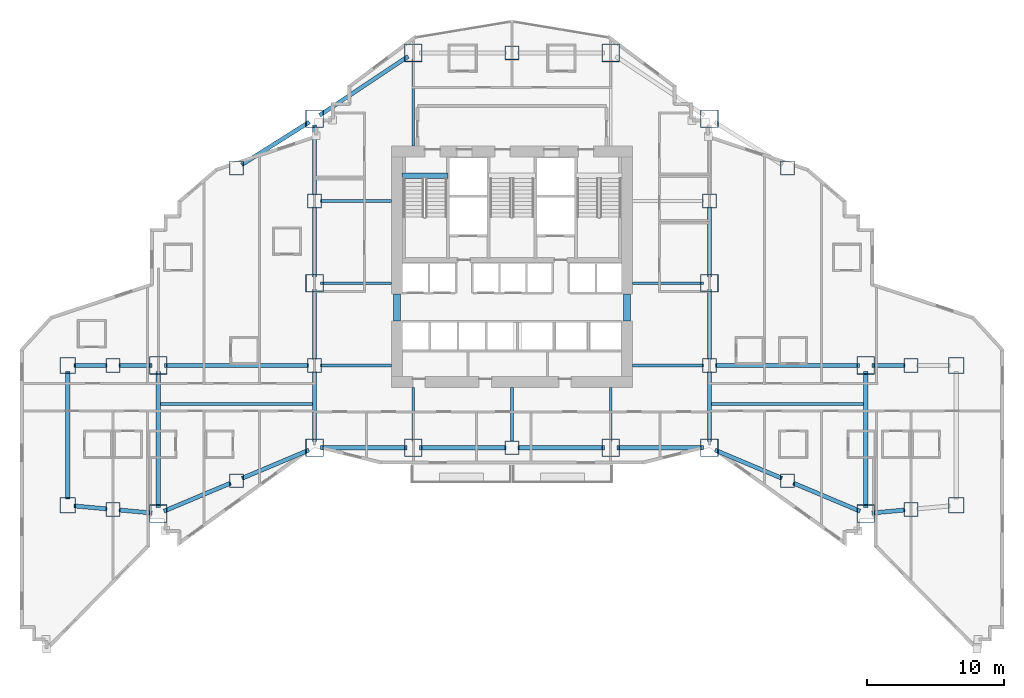
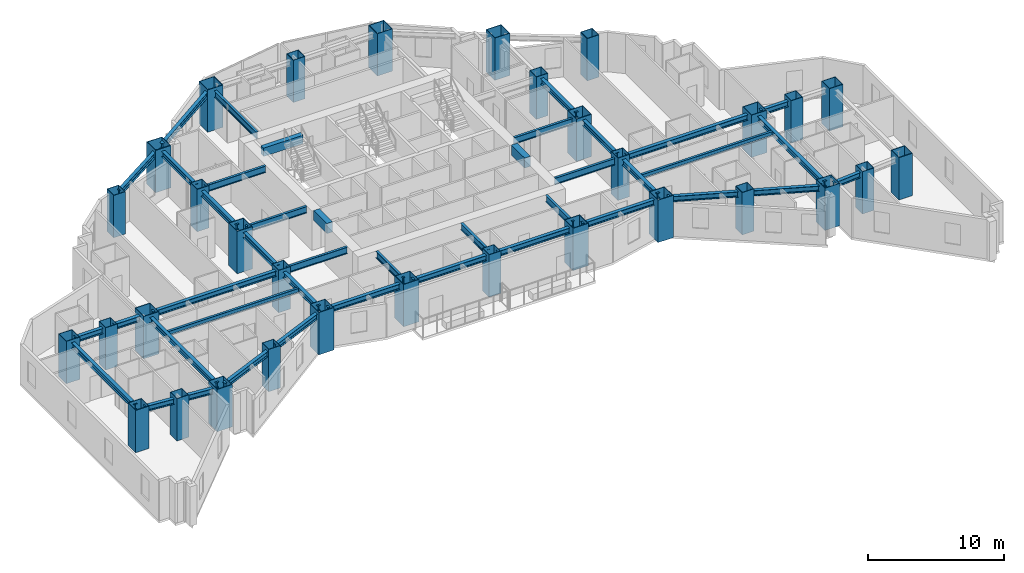
# One storey, part 1 of 19: 42 beams, 32 columns.
"""IFC4 building model written with IfcOpenShell, lengths in metres."""

from ifc_helpers import new_model, si_unit, direction, frame, origin, origin_2d, place, context, subcontext, project, spatial, rectangle, hollow_rectangle, i_section, extrude, material, material_profile, profile_set, type_object, element, save


model = new_model("IFC4")

# Units and contexts
model_context = context("Model", 3, precision=1e-05, world=origin(), true_north=direction((0.0, 1.0)))
body_context = subcontext(model_context, "Body", "Model", "MODEL_VIEW")
ifc_project = project(units=[si_unit("LENGTHUNIT", "METRE"), si_unit("AREAUNIT", "SQUARE_METRE"), si_unit("VOLUMEUNIT", "CUBIC_METRE"), si_unit("PLANEANGLEUNIT", "RADIAN"), si_unit("MASSUNIT", "GRAM", prefix="KILO")], contexts=[model_context])

# Site, building, storey
site_placement = place(None, origin())
site = spatial("IfcSite", under=ifc_project, at=site_placement, CompositionType="ELEMENT")
building_placement = place(site_placement, origin())
building = spatial("IfcBuilding", under=site, at=building_placement, Name="Haolan Belvedere Tower", CompositionType="ELEMENT")
storey_placement = place(building_placement, frame((0.0, 0.0, 39.199951171875)))
storey = spatial("IfcBuildingStorey", under=building, at=storey_placement, Name="L09", CompositionType="ELEMENT", Elevation=39.199951171875)

# Columns
ifc_material_1 = material(Name="Steel Q420GJC", Category="steel")
ifc_material_profile_1 = material_profile(ifc_material_1, hollow_rectangle(XDim=1.0, YDim=1.0, WallThickness=0.0380859375, at=origin_2d()), Name="Steel Q420GJC")
ifc_profile_set_1 = profile_set([ifc_material_profile_1], Name="Steel Q420GJC")
column_type_1 = type_object("IfcColumnType", Name="COL-BOX1000x1000x38", PredefinedType="COLUMN", material=ifc_profile_set_1)
for number, where, z_axis, x_axis, name in (
    (1, (24.0, 27.60009765625, 0.0), (0.0, 0.0, 1.0), (1.0, 0.0, 0.0), "L09 column TC-T3-W1 (BOX1000x1000x38)"),
    (2, (24.0, 39.60009765625, 0.0), (0.0, 0.0, 1.0), (1.0, 0.0, 0.0), "L09 column TC-T3-W2 (BOX1000x1000x38)"),
    (3, (52.800048828125, 27.60009765625, 0.0), (0.0, 0.0, 1.0), (1.0, 0.0, 0.0), "L09 column TC-T3-E1 (BOX1000x1000x38)"),
    (4, (52.800048828125, 39.60009765625, 0.0), (0.0, 0.0, 1.0), (1.0, 0.0, 0.0), "L09 column TC-T3-E2 (BOX1000x1000x38)"),
    (5, (38.39990234375, 21.60009765625, 0.0), (0.0, 0.0, 1.0), (1.0, 0.0, 0.0), "L09 column TC-T3-SM (BOX1000x1000x38)"),
    (6, (38.39990234375, 50.39990234375, 0.0), (0.0, 0.0, 1.0), (1.0, 0.0, 0.0), "L09 column TC-T3-NM (BOX1000x1000x38)"),
    (7, (18.300048828125, 19.199951171875, 0.0), (0.0, 0.0, 1.0), (1.0, 0.0, 0.0), "L09 column TC-T2-S1 (BOX1000x1000x38)"),
    (8, (18.300048828125, 42.0, 0.0), (0.0, 0.0, 1.0), (1.0, 0.0, 0.0), "L09 column TC-T2-N1 (BOX1000x1000x38)"),
    (9, (58.5, 19.199951171875, 0.0), (0.0, 0.0, 1.0), (1.0, 0.0, 0.0), "L09 column TC-T4-S1 (BOX1000x1000x38)"),
    (10, (58.5, 42.0, 0.0), (0.0, 0.0, 1.0), (1.0, 0.0, 0.0), "L09 column TC-T4-N1 (BOX1000x1000x38)"),
    (11, (9.300048828125, 17.10009765625, 0.0), (0.0, 0.0, 1.0), (1.0, 0.0, 0.0), "L09 column TC-T1-M1 (BOX1000x1000x38)"),
    (12, (9.300048828125, 27.60009765625, 0.0), (0.0, 0.0, 1.0), (1.0, 0.0, 0.0), "L09 column TC-T1-M2 (BOX1000x1000x38)"),
    (13, (67.5, 17.10009765625, 0.0), (0.0, 0.0, 1.0), (1.0, 0.0, 0.0), "L09 column TC-T5-M1 (BOX1000x1000x38)"),
    (14, (67.5, 27.60009765625, 0.0), (0.0, 0.0, 1.0), (1.0, 0.0, 0.0), "L09 column TC-T5-M2 (BOX1000x1000x38)"),
):
    element("IfcColumn", number, at=place(storey_placement, frame(where, z_axis=z_axis, x_axis=x_axis)), inside=storey, type_object=column_type_1, Name=name, PredefinedType="COLUMN", context=body_context, shape_type="SweptSolid", body=[
        extrude(hollow_rectangle(XDim=1.0, YDim=1.0, WallThickness=0.0380859375, at=origin_2d()), origin(), (0.0, 0.0, 1.0), 3.800048828125),
    ])
ifc_material_2 = material(Name="Steel Q355B", Category="steel")
ifc_material_profile_2 = material_profile(ifc_material_2, hollow_rectangle(XDim=1.14990234375, YDim=1.14990234375, WallThickness=0.0419921875, at=origin_2d()), Name="Steel Q355B")
ifc_profile_set_2 = profile_set([ifc_material_profile_2], Name="Steel Q355B")
column_type_2 = type_object("IfcColumnType", Name="COL-BOX1150x1150x42", PredefinedType="COLUMN", material=ifc_profile_set_2)
for number, where, z_axis, x_axis, name in (
    (15, (6.0, 17.39990234375, 0.0), (0.0, 0.0, 1.0), (1.0, 0.0, 0.0), "L09 column MC-T1-SW (BOX1150x1150x42)"),
    (16, (6.0, 27.60009765625, 0.0), (0.0, 0.0, 1.0), (1.0, 0.0, 0.0), "L09 column MC-T1-NW (BOX1150x1150x42)"),
    (17, (70.800048828125, 17.39990234375, 0.0), (0.0, 0.0, 1.0), (1.0, 0.0, 0.0), "L09 column MC-T5-SE (BOX1150x1150x42)"),
    (18, (70.800048828125, 27.60009765625, 0.0), (0.0, 0.0, 1.0), (1.0, 0.0, 0.0), "L09 column MC-T5-NE (BOX1150x1150x42)"),
):
    element("IfcColumn", number, at=place(storey_placement, frame(where, z_axis=z_axis, x_axis=x_axis)), inside=storey, type_object=column_type_2, Name=name, PredefinedType="COLUMN", context=body_context, shape_type="SweptSolid", body=[
        extrude(hollow_rectangle(XDim=1.14990234375, YDim=1.14990234375, WallThickness=0.0419921875, at=origin_2d()), origin(), (0.0, 0.0, 1.0), 3.800048828125),
    ])
ifc_material_profile_3 = material_profile(ifc_material_2, hollow_rectangle(XDim=1.300048828125, YDim=1.300048828125, WallThickness=0.048095703125, at=origin_2d()), Name="Steel Q355B")
ifc_profile_set_3 = profile_set([ifc_material_profile_3], Name="Steel Q355B")
column_type_3 = type_object("IfcColumnType", Name="COL-BOX1300x1300x48", PredefinedType="COLUMN", material=ifc_profile_set_3)
for number, where, z_axis, x_axis, name in (
    (19, (24.0, 21.60009765625, 0.0), (0.0, 0.0, 1.0), (1.0, 0.0, 0.0), "L09 column MC-T3-SW (BOX1300x1300x48)"),
    (20, (24.0, 33.60009765625, 0.0), (0.0, 0.0, 1.0), (1.0, 0.0, 0.0), "L09 column MC-T3-MW (BOX1300x1300x48)"),
    (21, (24.0, 45.60009765625, 0.0), (0.0, 0.0, 1.0), (1.0, 0.0, 0.0), "L09 column MC-T3-NW (BOX1300x1300x48)"),
    (22, (52.800048828125, 21.60009765625, 0.0), (0.0, 0.0, 1.0), (1.0, 0.0, 0.0), "L09 column MC-T3-SE (BOX1300x1300x48)"),
    (23, (52.800048828125, 33.60009765625, 0.0), (0.0, 0.0, 1.0), (1.0, 0.0, 0.0), "L09 column MC-T3-ME (BOX1300x1300x48)"),
    (24, (52.800048828125, 45.60009765625, 0.0), (0.0, 0.0, 1.0), (1.0, 0.0, 0.0), "L09 column MC-T3-NE (BOX1300x1300x48)"),
    (25, (31.199951171875, 21.60009765625, 0.0), (0.0, 0.0, 1.0), (1.0, 0.0, 0.0), "L09 column MC-T3-S1 (BOX1300x1300x48)"),
    (26, (45.60009765625, 21.60009765625, 0.0), (0.0, 0.0, 1.0), (1.0, 0.0, 0.0), "L09 column MC-T3-S2 (BOX1300x1300x48)"),
    (27, (31.199951171875, 50.39990234375, 0.0), (0.0, 0.0, 1.0), (1.0, 0.0, 0.0), "L09 column MC-T3-N1 (BOX1300x1300x48)"),
    (28, (45.60009765625, 50.39990234375, 0.0), (0.0, 0.0, 1.0), (1.0, 0.0, 0.0), "L09 column MC-T3-N2 (BOX1300x1300x48)"),
    (29, (12.60009765625, 16.800048828125, 0.0), (0.0, 0.0, 1.0), (1.0, 0.0, 0.0), "L09 column MC-T2-SW (BOX1300x1300x48)"),
    (30, (12.60009765625, 27.60009765625, 0.0), (0.0, 0.0, 1.0), (1.0, 0.0, 0.0), "L09 column MC-T2-MW (BOX1300x1300x48)"),
    (31, (64.199951171875, 16.800048828125, 0.0), (0.0, 0.0, 1.0), (1.0, 0.0, 0.0), "L09 column MC-T4-SE (BOX1300x1300x48)"),
    (32, (64.199951171875, 27.60009765625, 0.0), (0.0, 0.0, 1.0), (1.0, 0.0, 0.0), "L09 column MC-T4-ME (BOX1300x1300x48)"),
):
    element("IfcColumn", number, at=place(storey_placement, frame(where, z_axis=z_axis, x_axis=x_axis)), inside=storey, type_object=column_type_3, Name=name, PredefinedType="COLUMN", context=body_context, shape_type="SweptSolid", body=[
        extrude(hollow_rectangle(XDim=1.300048828125, YDim=1.300048828125, WallThickness=0.048095703125, at=origin_2d()), origin(), (0.0, 0.0, 1.0), 3.800048828125),
    ])

# Beams
ifc_material_profile_4 = material_profile(ifc_material_2, i_section(OverallWidth=0.300048828125, OverallDepth=0.488037109375, WebThickness=0.010986328125, FlangeThickness=0.01806640625, FilletRadius=0.02587890625, at=origin_2d()), Name="Steel Q355B")
ifc_profile_set_4 = profile_set([ifc_material_profile_4], Name="Steel Q355B")
beam_type_1 = type_object("IfcBeamType", Name="BM-HM488x300x11x18", PredefinedType="SPANDREL", material=ifc_profile_set_4)
for number, where, z_axis, x_axis, name in (
    (33, (24.0, 22.050048828125, 3.296142578125), (0.0, 1.0, 0.0), (-1.0, 0.0, 0.0), "L09 spandrel girder MC-T3-SW-TC-T3-W1"),
    (34, (24.0, 28.050048828125, 3.296142578125), (0.0, 1.0, 0.0), (-1.0, 0.0, 0.0), "L09 spandrel girder TC-T3-W1-MC-T3-MW"),
    (35, (24.0, 34.050048828125, 3.296142578125), (0.0, 1.0, 0.0), (-1.0, 0.0, 0.0), "L09 spandrel girder MC-T3-MW-TC-T3-W2"),
    (36, (24.0, 40.050048828125, 3.296142578125), (0.0, 1.0, 0.0), (-1.0, 0.0, 0.0), "L09 spandrel girder TC-T3-W2-MC-T3-NW"),
    (37, (52.800048828125, 22.050048828125, 3.296142578125), (0.0, 1.0, 0.0), (-1.0, 0.0, 0.0), "L09 spandrel girder MC-T3-SE-TC-T3-E1"),
    (38, (52.800048828125, 28.050048828125, 3.296142578125), (0.0, 1.0, 0.0), (-1.0, 0.0, 0.0), "L09 spandrel girder TC-T3-E1-MC-T3-ME"),
    (39, (52.800048828125, 34.050048828125, 3.296142578125), (0.0, 1.0, 0.0), (-1.0, 0.0, 0.0), "L09 spandrel girder MC-T3-ME-TC-T3-E2"),
):
    element("IfcBeam", number, at=place(storey_placement, frame(where, z_axis=z_axis, x_axis=x_axis)), inside=storey, type_object=beam_type_1, Name=name, PredefinedType="SPANDREL", context=body_context, shape_type="SweptSolid", body=[
        extrude(i_section(OverallWidth=0.300048828125, OverallDepth=0.488037109375, WebThickness=0.010986328125, FlangeThickness=0.01806640625, FilletRadius=0.02587890625, at=origin_2d()), origin(), (0.0, 0.0, 1.0), 5.099853515625),
    ])
for number, where, z_axis, x_axis, name in (
    (40, (24.449951171875, 21.60009765625, 3.296142578125), (1.0, 0.0, 0.0), (0.0, 1.0, 0.0), "L09 spandrel girder MC-T3-SW-MC-T3-S1"),
    (41, (31.64990234375, 21.60009765625, 3.296142578125), (1.0, 0.0, 0.0), (0.0, 1.0, 0.0), "L09 spandrel girder MC-T3-S1-TC-T3-SM"),
):
    element("IfcBeam", number, at=place(storey_placement, frame(where, z_axis=z_axis, x_axis=x_axis)), inside=storey, type_object=beam_type_1, Name=name, PredefinedType="SPANDREL", context=body_context, shape_type="SweptSolid", body=[
        extrude(i_section(OverallWidth=0.300048828125, OverallDepth=0.488037109375, WebThickness=0.010986328125, FlangeThickness=0.01806640625, FilletRadius=0.02587890625, at=origin_2d()), origin(), (0.0, 0.0, 1.0), 6.300048828125),
    ])
beam_1_placement = place(storey_placement, frame((38.85009765625, 21.60009765625, 3.296142578125), z_axis=(1.0, 0.0, 0.0), x_axis=(0.0, 1.0, 0.0)))
element("IfcBeam", 42, at=beam_1_placement, inside=storey, type_object=beam_type_1, Name="L09 spandrel girder TC-T3-SM-MC-T3-S2", PredefinedType="SPANDREL", context=body_context, shape_type="SweptSolid", body=[
    extrude(i_section(OverallWidth=0.300048828125, OverallDepth=0.488037109375, WebThickness=0.010986328125, FlangeThickness=0.01806640625, FilletRadius=0.02587890625, at=origin_2d()), origin(), (0.0, 0.0, 1.0), 6.2998046875),
])
beam_2_placement = place(storey_placement, frame((46.050048828125, 21.60009765625, 3.296142578125), z_axis=(1.0, 0.0, 0.0), x_axis=(0.0, 1.0, 0.0)))
element("IfcBeam", 43, at=beam_2_placement, inside=storey, type_object=beam_type_1, Name="L09 spandrel girder MC-T3-S2-MC-T3-SE", PredefinedType="SPANDREL", context=body_context, shape_type="SweptSolid", body=[
    extrude(i_section(OverallWidth=0.300048828125, OverallDepth=0.488037109375, WebThickness=0.010986328125, FlangeThickness=0.01806640625, FilletRadius=0.02587890625, at=origin_2d()), origin(), (0.0, 0.0, 1.0), 6.300048828125),
])
beam_3_placement = place(storey_placement, frame((24.37451171875, 45.849609375, 3.296142578125), z_axis=(0.832050294338, 0.554700196225, 0.0), x_axis=(-0.554700196225, 0.832050294338, 0.0)))
element("IfcBeam", 44, at=beam_3_placement, inside=storey, type_object=beam_type_1, Name="L09 spandrel girder MC-T3-NW-MC-T3-N1", PredefinedType="SPANDREL", context=body_context, shape_type="SweptSolid", body=[
    extrude(i_section(OverallWidth=0.300048828125, OverallDepth=0.488037109375, WebThickness=0.010986328125, FlangeThickness=0.01806640625, FilletRadius=0.02587890625, at=origin_2d()), origin(), (0.0, 0.0, 1.0), 7.75341796875),
])
beam_4_placement = place(storey_placement, frame((12.60009765625, 17.25, 3.296142578125), z_axis=(0.0, 1.0, 0.0), x_axis=(-1.0, 0.0, 0.0)))
element("IfcBeam", 45, at=beam_4_placement, inside=storey, type_object=beam_type_1, Name="L09 spandrel girder MC-T2-SW-MC-T2-MW", PredefinedType="SPANDREL", context=body_context, shape_type="SweptSolid", body=[
    extrude(i_section(OverallWidth=0.300048828125, OverallDepth=0.488037109375, WebThickness=0.010986328125, FlangeThickness=0.01806640625, FilletRadius=0.02587890625, at=origin_2d()), origin(), (0.0, 0.0, 1.0), 9.89990234375),
])
beam_5_placement = place(storey_placement, frame((13.0146484375, 16.974609375, 3.296142578125), z_axis=(0.921635375138, 0.388057000058, 0.0), x_axis=(-0.388057000058, 0.921635375138, 0.0)))
element("IfcBeam", 46, at=beam_5_placement, inside=storey, type_object=beam_type_1, Name="L09 spandrel girder MC-T2-SW-TC-T2-S1", PredefinedType="SPANDREL", context=body_context, shape_type="SweptSolid", body=[
    extrude(i_section(OverallWidth=0.300048828125, OverallDepth=0.488037109375, WebThickness=0.010986328125, FlangeThickness=0.01806640625, FilletRadius=0.02587890625, at=origin_2d()), origin(), (0.0, 0.0, 1.0), 5.28466796875),
])
beam_6_placement = place(storey_placement, frame((18.71484375, 19.37451171875, 3.296142578125), z_axis=(0.92162841793, 0.388073523014, 0.0), x_axis=(-0.388073523014, 0.92162841793, 0.0)))
element("IfcBeam", 47, at=beam_6_placement, inside=storey, type_object=beam_type_1, Name="L09 spandrel girder TC-T2-S1-MC-T3-SW", PredefinedType="SPANDREL", context=body_context, shape_type="SweptSolid", body=[
    extrude(i_section(OverallWidth=0.300048828125, OverallDepth=0.488037109375, WebThickness=0.010986328125, FlangeThickness=0.01806640625, FilletRadius=0.02587890625, at=origin_2d()), origin(), (0.0, 0.0, 1.0), 5.284423828125),
])
beam_7_placement = place(storey_placement, frame((18.680419921875, 42.240234375, 3.296142578125), z_axis=(0.845497840649, 0.533978839898, 0.0), x_axis=(-0.533978839898, 0.845497840649, 0.0)))
element("IfcBeam", 48, at=beam_7_placement, inside=storey, type_object=beam_type_1, Name="L09 spandrel girder TC-T2-N1-MC-T3-NW", PredefinedType="SPANDREL", context=body_context, shape_type="SweptSolid", body=[
    extrude(i_section(OverallWidth=0.300048828125, OverallDepth=0.488037109375, WebThickness=0.010986328125, FlangeThickness=0.01806640625, FilletRadius=0.02587890625, at=origin_2d()), origin(), (0.0, 0.0, 1.0), 5.841796875),
])
beam_8_placement = place(storey_placement, frame((13.050048828125, 27.60009765625, 3.296142578125), z_axis=(1.0, 0.0, 0.0), x_axis=(0.0, 1.0, 0.0)))
element("IfcBeam", 49, at=beam_8_placement, inside=storey, type_object=beam_type_1, Name="L09 spandrel girder MC-T2-MW-TC-T3-W1", PredefinedType="SPANDREL", context=body_context, shape_type="SweptSolid", body=[
    extrude(i_section(OverallWidth=0.300048828125, OverallDepth=0.488037109375, WebThickness=0.010986328125, FlangeThickness=0.01806640625, FilletRadius=0.02587890625, at=origin_2d()), origin(), (0.0, 0.0, 1.0), 10.5),
])
beam_9_placement = place(storey_placement, frame((64.199951171875, 17.25, 3.296142578125), z_axis=(0.0, 1.0, 0.0), x_axis=(-1.0, 0.0, 0.0)))
element("IfcBeam", 50, at=beam_9_placement, inside=storey, type_object=beam_type_1, Name="L09 spandrel girder MC-T4-SE-MC-T4-ME", PredefinedType="SPANDREL", context=body_context, shape_type="SweptSolid", body=[
    extrude(i_section(OverallWidth=0.300048828125, OverallDepth=0.488037109375, WebThickness=0.010986328125, FlangeThickness=0.01806640625, FilletRadius=0.02587890625, at=origin_2d()), origin(), (0.0, 0.0, 1.0), 9.89990234375),
])
for number, where, z_axis, x_axis, name in (
    (51, (53.21484375, 21.42529296875, 3.296142578125), (0.92162841793, -0.388073523014, 0.0), (0.388073523014, 0.92162841793, 0.0), "L09 spandrel girder MC-T3-SE-TC-T4-S1"),
    (52, (58.914794921875, 19.025390625, 3.296142578125), (0.92162841793, -0.388073523014, 0.0), (0.388073523014, 0.92162841793, 0.0), "L09 spandrel girder TC-T4-S1-MC-T4-SE"),
):
    element("IfcBeam", number, at=place(storey_placement, frame(where, z_axis=z_axis, x_axis=x_axis)), inside=storey, type_object=beam_type_1, Name=name, PredefinedType="SPANDREL", context=body_context, shape_type="SweptSolid", body=[
        extrude(i_section(OverallWidth=0.300048828125, OverallDepth=0.488037109375, WebThickness=0.010986328125, FlangeThickness=0.01806640625, FilletRadius=0.02587890625, at=origin_2d()), origin(), (0.0, 0.0, 1.0), 5.284423828125),
    ])
beam_10_placement = place(storey_placement, frame((53.25, 27.60009765625, 3.296142578125), z_axis=(1.0, 0.0, 0.0), x_axis=(0.0, 1.0, 0.0)))
element("IfcBeam", 53, at=beam_10_placement, inside=storey, type_object=beam_type_1, Name="L09 spandrel girder TC-T3-E1-MC-T4-ME", PredefinedType="SPANDREL", context=body_context, shape_type="SweptSolid", body=[
    extrude(i_section(OverallWidth=0.300048828125, OverallDepth=0.488037109375, WebThickness=0.010986328125, FlangeThickness=0.01806640625, FilletRadius=0.02587890625, at=origin_2d()), origin(), (0.0, 0.0, 1.0), 10.5),
])
beam_11_placement = place(storey_placement, frame((6.0, 17.85009765625, 3.296142578125), z_axis=(0.0, 1.0, 0.0), x_axis=(-1.0, 0.0, 0.0)))
element("IfcBeam", 54, at=beam_11_placement, inside=storey, type_object=beam_type_1, Name="L09 spandrel girder MC-T1-SW-MC-T1-NW", PredefinedType="SPANDREL", context=body_context, shape_type="SweptSolid", body=[
    extrude(i_section(OverallWidth=0.300048828125, OverallDepth=0.488037109375, WebThickness=0.010986328125, FlangeThickness=0.01806640625, FilletRadius=0.02587890625, at=origin_2d()), origin(), (0.0, 0.0, 1.0), 9.2998046875),
])
beam_12_placement = place(storey_placement, frame((6.4482421875, 17.359375, 3.296142578125), z_axis=(0.995884080761, -0.090636072764, 0.0), x_axis=(0.090636072764, 0.995884080761, 0.0)))
element("IfcBeam", 55, at=beam_12_placement, inside=storey, type_object=beam_type_1, Name="L09 spandrel girder MC-T1-SW-TC-T1-M1", PredefinedType="SPANDREL", context=body_context, shape_type="SweptSolid", body=[
    extrude(i_section(OverallWidth=0.300048828125, OverallDepth=0.488037109375, WebThickness=0.010986328125, FlangeThickness=0.01806640625, FilletRadius=0.02587890625, at=origin_2d()), origin(), (0.0, 0.0, 1.0), 2.41357421875),
])
beam_13_placement = place(storey_placement, frame((9.748046875, 17.059326171875, 3.296142578125), z_axis=(0.9958940355, -0.090526626221, 0.0), x_axis=(0.090526626221, 0.9958940355, 0.0)))
element("IfcBeam", 56, at=beam_13_placement, inside=storey, type_object=beam_type_1, Name="L09 spandrel girder TC-T1-M1-MC-T2-SW", PredefinedType="SPANDREL", context=body_context, shape_type="SweptSolid", body=[
    extrude(i_section(OverallWidth=0.300048828125, OverallDepth=0.488037109375, WebThickness=0.010986328125, FlangeThickness=0.01806640625, FilletRadius=0.02587890625, at=origin_2d()), origin(), (0.0, 0.0, 1.0), 2.413818359375),
])
beam_14_placement = place(storey_placement, frame((6.449951171875, 27.60009765625, 3.296142578125), z_axis=(1.0, 0.0, 0.0), x_axis=(0.0, 1.0, 0.0)))
element("IfcBeam", 57, at=beam_14_placement, inside=storey, type_object=beam_type_1, Name="L09 spandrel girder MC-T1-NW-TC-T1-M2", PredefinedType="SPANDREL", context=body_context, shape_type="SweptSolid", body=[
    extrude(i_section(OverallWidth=0.300048828125, OverallDepth=0.488037109375, WebThickness=0.010986328125, FlangeThickness=0.01806640625, FilletRadius=0.02587890625, at=origin_2d()), origin(), (0.0, 0.0, 1.0), 2.400146484375),
])
beam_15_placement = place(storey_placement, frame((9.75, 27.60009765625, 3.296142578125), z_axis=(1.0, 0.0, 0.0), x_axis=(0.0, 1.0, 0.0)))
element("IfcBeam", 58, at=beam_15_placement, inside=storey, type_object=beam_type_1, Name="L09 spandrel girder TC-T1-M2-MC-T2-MW", PredefinedType="SPANDREL", context=body_context, shape_type="SweptSolid", body=[
    extrude(i_section(OverallWidth=0.300048828125, OverallDepth=0.488037109375, WebThickness=0.010986328125, FlangeThickness=0.01806640625, FilletRadius=0.02587890625, at=origin_2d()), origin(), (0.0, 0.0, 1.0), 2.39990234375),
])
beam_16_placement = place(storey_placement, frame((64.648193359375, 16.8408203125, 3.296142578125), z_axis=(0.995893206468, 0.090535746043, 0.0), x_axis=(-0.090535746043, 0.995893206468, 0.0)))
element("IfcBeam", 59, at=beam_16_placement, inside=storey, type_object=beam_type_1, Name="L09 spandrel girder MC-T4-SE-TC-T5-M1", PredefinedType="SPANDREL", context=body_context, shape_type="SweptSolid", body=[
    extrude(i_section(OverallWidth=0.300048828125, OverallDepth=0.488037109375, WebThickness=0.010986328125, FlangeThickness=0.01806640625, FilletRadius=0.02587890625, at=origin_2d()), origin(), (0.0, 0.0, 1.0), 2.41357421875),
])
beam_17_placement = place(storey_placement, frame((64.64990234375, 27.60009765625, 3.296142578125), z_axis=(1.0, 0.0, 0.0), x_axis=(0.0, 1.0, 0.0)))
element("IfcBeam", 60, at=beam_17_placement, inside=storey, type_object=beam_type_1, Name="L09 spandrel girder MC-T4-ME-TC-T5-M2", PredefinedType="SPANDREL", context=body_context, shape_type="SweptSolid", body=[
    extrude(i_section(OverallWidth=0.300048828125, OverallDepth=0.488037109375, WebThickness=0.010986328125, FlangeThickness=0.01806640625, FilletRadius=0.02587890625, at=origin_2d()), origin(), (0.0, 0.0, 1.0), 2.400146484375),
])
ifc_material_profile_5 = material_profile(ifc_material_2, i_section(OverallWidth=0.199951171875, OverallDepth=0.39990234375, WebThickness=0.008056640625, FlangeThickness=0.012939453125, FilletRadius=0.01611328125, at=origin_2d()), Name="Steel Q355B")
ifc_profile_set_5 = profile_set([ifc_material_profile_5], Name="Steel Q355B")
beam_type_2 = type_object("IfcBeamType", Name="BM-HN400x200x8x13", PredefinedType="JOIST", material=ifc_profile_set_5)
for number, where, z_axis, x_axis, name in (
    (61, (12.75, 24.800048828125, 3.340087890625), (1.0, 0.0, 0.0), (0.0, 1.0, 0.0), "L09 west wing floor joist 1"),
    (62, (52.949951171875, 24.800048828125, 3.340087890625), (1.0, 0.0, 0.0), (0.0, 1.0, 0.0), "L09 east wing floor joist 1"),
):
    element("IfcBeam", number, at=place(storey_placement, frame(where, z_axis=z_axis, x_axis=x_axis)), inside=storey, type_object=beam_type_2, Name=name, PredefinedType="JOIST", context=body_context, shape_type="SweptSolid", body=[
        extrude(i_section(OverallWidth=0.199951171875, OverallDepth=0.39990234375, WebThickness=0.008056640625, FlangeThickness=0.012939453125, FilletRadius=0.01611328125, at=origin_2d()), origin(), (0.0, 0.0, 1.0), 11.10009765625),
    ])
ifc_material_profile_6 = material_profile(ifc_material_2, i_section(OverallWidth=0.199951171875, OverallDepth=0.60009765625, WebThickness=0.010986328125, FlangeThickness=0.01708984375, FilletRadius=0.02197265625, at=origin_2d()), Name="Steel Q355B")
ifc_profile_set_6 = profile_set([ifc_material_profile_6], Name="Steel Q355B")
beam_type_3 = type_object("IfcBeamType", Name="BM-HN600x200x11x17", PredefinedType="BEAM", material=ifc_profile_set_6)
for number, where, z_axis, x_axis, name in (
    (63, (24.449951171875, 33.60009765625, 3.239990234375), (1.0, 0.0, 0.0), (0.0, 1.0, 0.0), "L09 core tie beam from MC-T3-MW"),
    (64, (24.449951171875, 27.60009765625, 3.239990234375), (1.0, 0.0, 0.0), (0.0, 1.0, 0.0), "L09 core tie beam from TC-T3-W1"),
    (65, (24.449951171875, 39.60009765625, 3.239990234375), (1.0, 0.0, 0.0), (0.0, 1.0, 0.0), "L09 core tie beam from TC-T3-W2"),
    (66, (52.35009765625, 33.60009765625, 3.239990234375), (-1.0, 0.0, 0.0), (0.0, -1.0, 0.0), "L09 core tie beam from MC-T3-ME"),
    (67, (52.35009765625, 27.60009765625, 3.239990234375), (-1.0, 0.0, 0.0), (0.0, -1.0, 0.0), "L09 core tie beam from TC-T3-E1"),
):
    element("IfcBeam", number, at=place(storey_placement, frame(where, z_axis=z_axis, x_axis=x_axis)), inside=storey, type_object=beam_type_3, Name=name, PredefinedType="BEAM", context=body_context, shape_type="SweptSolid", body=[
        extrude(i_section(OverallWidth=0.199951171875, OverallDepth=0.60009765625, WebThickness=0.010986328125, FlangeThickness=0.01708984375, FilletRadius=0.02197265625, at=origin_2d()), origin(), (0.0, 0.0, 1.0), 5.150146484375),
    ])
for number, where, z_axis, x_axis, name in (
    (68, (31.199951171875, 22.050048828125, 3.239990234375), (0.0, 1.0, 0.0), (-1.0, 0.0, 0.0), "L09 core tie beam from MC-T3-S1"),
    (69, (38.39990234375, 22.050048828125, 3.239990234375), (0.0, 1.0, 0.0), (-1.0, 0.0, 0.0), "L09 core tie beam from TC-T3-SM"),
    (70, (45.60009765625, 22.050048828125, 3.239990234375), (0.0, 1.0, 0.0), (-1.0, 0.0, 0.0), "L09 core tie beam from MC-T3-S2"),
):
    element("IfcBeam", number, at=place(storey_placement, frame(where, z_axis=z_axis, x_axis=x_axis)), inside=storey, type_object=beam_type_3, Name=name, PredefinedType="BEAM", context=body_context, shape_type="SweptSolid", body=[
        extrude(i_section(OverallWidth=0.199951171875, OverallDepth=0.60009765625, WebThickness=0.010986328125, FlangeThickness=0.01708984375, FilletRadius=0.02197265625, at=origin_2d()), origin(), (0.0, 0.0, 1.0), 3.949951171875),
    ])
beam_18_placement = place(storey_placement, frame((31.199951171875, 49.949951171875, 3.239990234375), z_axis=(0.0, -1.0, 0.0), x_axis=(1.0, 0.0, 0.0)))
element("IfcBeam", 71, at=beam_18_placement, inside=storey, type_object=beam_type_3, Name="L09 core tie beam from MC-T3-N1", PredefinedType="BEAM", context=body_context, shape_type="SweptSolid", body=[
    extrude(i_section(OverallWidth=0.199951171875, OverallDepth=0.60009765625, WebThickness=0.010986328125, FlangeThickness=0.01708984375, FilletRadius=0.02197265625, at=origin_2d()), origin(), (0.0, 0.0, 1.0), 6.349853515625),
])
ifc_material_3 = material(Name="Concrete C50/60", Category="concrete")
ifc_material_profile_7 = material_profile(ifc_material_3, rectangle(XDim=0.39990234375, YDim=0.75, at=origin_2d()), Name="Concrete C50/60")
ifc_profile_set_7 = profile_set([ifc_material_profile_7], Name="Concrete C50/60")
beam_type_4 = type_object("IfcBeamType", Name="BM-RC400x750", PredefinedType="T_BEAM", material=ifc_profile_set_7)
beam_19_placement = place(storey_placement, frame((30.3798828125, 41.429931640625, 3.425048828125), z_axis=(1.0, 0.0, 0.0), x_axis=(0.0, 1.0, 0.0)))
element("IfcBeam", 72, at=beam_19_placement, inside=storey, type_object=beam_type_4, Name="L10 stair ST1 RC header trimmer beam", PredefinedType="BEAM", context=body_context, shape_type="SweptSolid", body=[
    extrude(rectangle(XDim=0.39990234375, YDim=0.75, at=origin_2d()), origin(), (0.0, 0.0, 1.0), 3.360107421875),
])
ifc_material_4 = material(Name="Concrete C60/75", Category="concrete")
ifc_material_profile_8 = material_profile(ifc_material_4, rectangle(XDim=0.5, YDim=0.89990234375, at=origin_2d()), Name="Concrete C60/75")
ifc_profile_set_8 = profile_set([ifc_material_profile_8], Name="Concrete C60/75")
beam_type_5 = type_object("IfcBeamType", Name="BM-RC500x900", PredefinedType="LINTEL", material=ifc_profile_set_8)
for number, where, z_axis, x_axis, name in (
    (73, (30.0, 30.85009765625, 3.090087890625), (0.0, 1.0, 0.0), (-1.0, 0.0, 0.0), "L09 west core coupling beam CB-01"),
    (74, (46.800048828125, 30.85009765625, 3.090087890625), (0.0, 1.0, 0.0), (-1.0, 0.0, 0.0), "L09 east core coupling beam CB-01"),
):
    element("IfcBeam", number, at=place(storey_placement, frame(where, z_axis=z_axis, x_axis=x_axis)), inside=storey, type_object=beam_type_5, Name=name, PredefinedType="LINTEL", context=body_context, shape_type="SweptSolid", body=[
        extrude(rectangle(XDim=0.5, YDim=0.89990234375, at=origin_2d()), origin(), (0.0, 0.0, 1.0), 1.949951171875),
    ])

save(model, "model.ifc")
